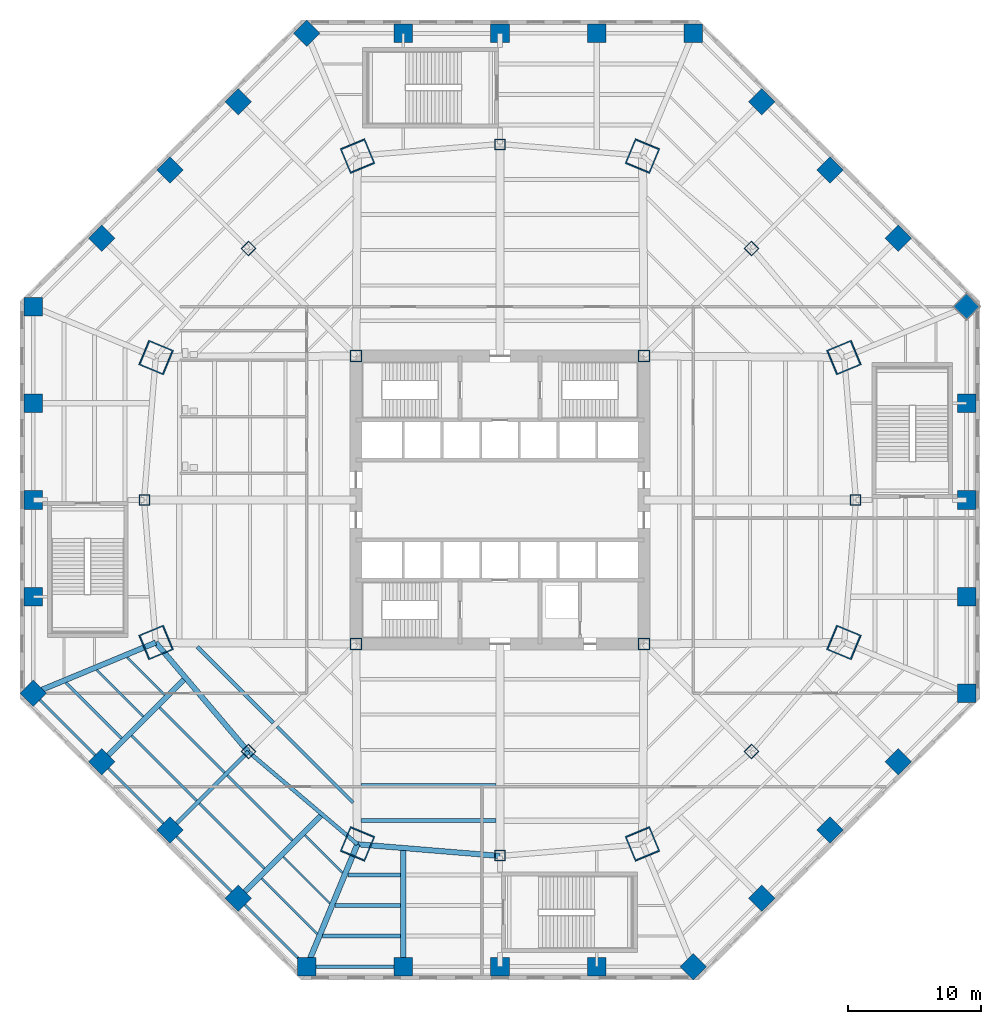
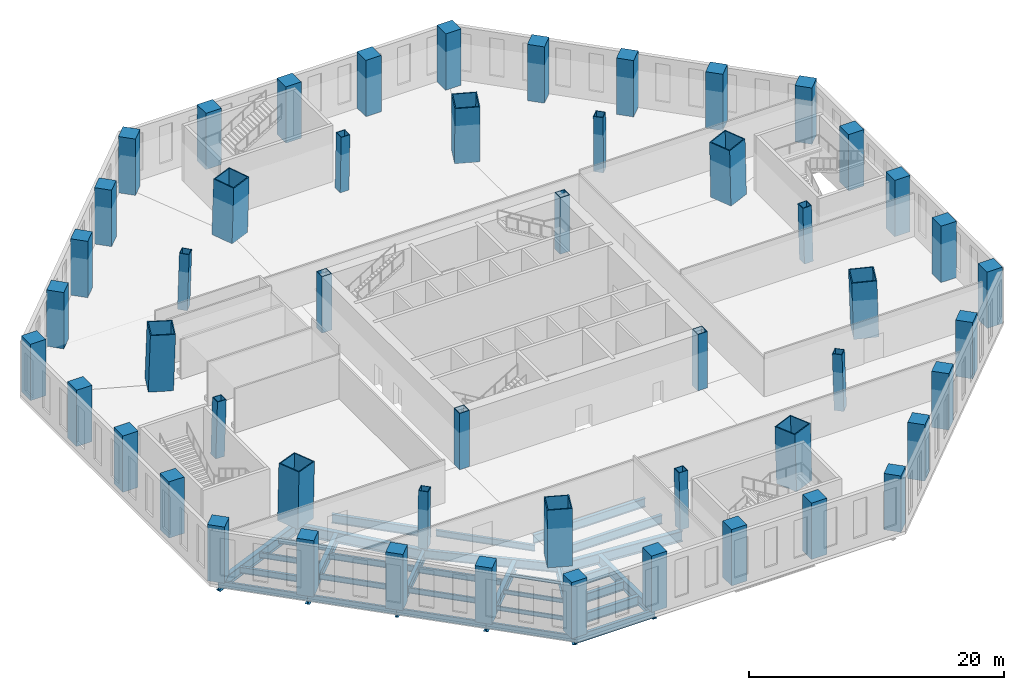
# One storey, part 1 of 18: 52 columns, 31 beams.
"""IFC4 building model written with IfcOpenShell, lengths in metres."""

from ifc_helpers import new_model, si_unit, direction, frame, origin, origin_2d, place, context, subcontext, project, spatial, rectangle, hollow_rectangle, i_section, extrude, material, material_profile, profile_set, type_object, element, save


model = new_model("IFC4")

# Units and contexts
model_context = context("Model", 3, precision=1e-05, world=origin(), true_north=direction((0.0, 1.0)))
body_context = subcontext(model_context, "Body", "Model", "MODEL_VIEW")
ifc_project = project(units=[si_unit("LENGTHUNIT", "METRE"), si_unit("AREAUNIT", "SQUARE_METRE"), si_unit("VOLUMEUNIT", "CUBIC_METRE"), si_unit("PLANEANGLEUNIT", "RADIAN"), si_unit("MASSUNIT", "GRAM", prefix="KILO")], contexts=[model_context])

# Site, building, storey
site_placement = place(None, origin())
site = spatial("IfcSite", under=ifc_project, at=site_placement, CompositionType="ELEMENT")
building_placement = place(site_placement, origin())
building = spatial("IfcBuilding", under=site, at=building_placement, Name="Mashrafa Tower", CompositionType="ELEMENT")
storey_placement = place(building_placement, frame((0.0, 0.0, 18.60009765625)))
storey = spatial("IfcBuildingStorey", under=building, at=storey_placement, Name="L03", CompositionType="ELEMENT", Elevation=18.60009765625)

# Columns
ifc_material_1 = material(Name="Steel ASTM A572 Gr 50", Category="steel")
ifc_material_profile_1 = material_profile(ifc_material_1, hollow_rectangle(XDim=0.89990234375, YDim=0.89990234375, WallThickness=0.06005859375, at=origin_2d()), Name="BOX900X900X60")
ifc_profile_set_1 = profile_set([ifc_material_profile_1], Name="Steel ASTM A572 Gr 50")
column_type_1 = type_object("IfcColumnType", Name="Core corner column BOX900X900X60", PredefinedType="COLUMN", material=ifc_profile_set_1)
for number, where, z_axis, x_axis, name in (
    (1, (10.800048828125, 10.800048828125, 0.0), (0.0, 0.0, 1.0), (1.0, 0.0, 0.0), "Core corner column CC-NE L03"),
    (2, (-10.800048828125, 10.800048828125, 0.0), (0.0, 0.0, 1.0), (1.0, 0.0, 0.0), "Core corner column CC-NW L03"),
    (3, (-10.800048828125, -10.800048828125, 0.0), (0.0, 0.0, 1.0), (1.0, 0.0, 0.0), "Core corner column CC-SW L03"),
    (4, (10.800048828125, -10.800048828125, 0.0), (0.0, 0.0, 1.0), (1.0, 0.0, 0.0), "Core corner column CC-SE L03"),
):
    element("IfcColumn", number, at=place(storey_placement, frame(where, z_axis=z_axis, x_axis=x_axis)), inside=storey, type_object=column_type_1, Name=name, PredefinedType="COLUMN", context=body_context, shape_type="SweptSolid", body=[
        extrude(hollow_rectangle(XDim=0.89990234375, YDim=0.89990234375, WallThickness=0.06005859375, at=origin_2d()), origin(), (0.0, 0.0, 1.0), 5.39990234375),
    ])
ifc_material_2 = material(Name="Steel ASTM A572 Gr 50", Category="steel")
ifc_material_profile_2 = material_profile(ifc_material_2, hollow_rectangle(XDim=2.0, YDim=2.0, WallThickness=0.090087890625, at=origin_2d()), Name="BOX2000X2000X90")
ifc_profile_set_2 = profile_set([ifc_material_profile_2], Name="Steel ASTM A572 Gr 50")
column_type_2 = type_object("IfcColumnType", Name="Mega column CFST BOX2000X2000X90", PredefinedType="COLUMN", material=ifc_profile_set_2)
for number, where, z_axis, x_axis, name in (
    (5, (25.810302734375, 10.69091796875, 0.0), (-0.028289472832, -0.011704430453, 0.999531246152), (0.3823083337, -0.92403481427, 0.0), "Mega column MC1 L03"),
    (6, (10.69091796875, 25.810302734375, 0.0), (-0.011704430453, -0.028289472832, 0.999531246152), (0.92403481427, -0.3823083337, 0.0), "Mega column MC2 L03"),
    (7, (-10.69091796875, 25.810302734375, 0.0), (0.011704430453, -0.028289472832, 0.999531246152), (0.92403481427, 0.3823083337, 0.0), "Mega column MC3 L03"),
    (8, (-25.810302734375, 10.69091796875, 0.0), (0.028289472832, -0.011704430453, 0.999531246152), (0.3823083337, 0.92403481427, 0.0), "Mega column MC4 L03"),
    (9, (-25.810302734375, -10.69091796875, 0.0), (0.028289472832, 0.011704430453, 0.999531246152), (-0.3823083337, 0.92403481427, 0.0), "Mega column MC5 L03"),
    (10, (-10.69091796875, -25.810302734375, 0.0), (0.011704430453, 0.028289472832, 0.999531246152), (-0.92403481427, 0.3823083337, 0.0), "Mega column MC6 L03"),
    (11, (10.69091796875, -25.810302734375, 0.0), (-0.011704430453, 0.028289472832, 0.999531246152), (-0.92403481427, -0.3823083337, 0.0), "Mega column MC7 L03"),
    (12, (25.810302734375, -10.69091796875, 0.0), (-0.028289472832, 0.011704430453, 0.999531246152), (-0.3823083337, -0.92403481427, 0.0), "Mega column MC8 L03"),
):
    element("IfcColumn", number, at=place(storey_placement, frame(where, z_axis=z_axis, x_axis=x_axis)), inside=storey, type_object=column_type_2, Name=name, PredefinedType="COLUMN", context=body_context, shape_type="SweptSolid", body=[
        extrude(hollow_rectangle(XDim=2.0, YDim=2.0, WallThickness=0.090087890625, at=origin_2d()), origin(), (0.0, 0.0, 1.0), 5.40234375),
    ])
ifc_material_3 = material(Name="Concrete C50/60", Category="concrete")
ifc_material_profile_3 = material_profile(ifc_material_3, rectangle(XDim=1.39990234375, YDim=1.39990234375, at=origin_2d()), Name="RC1400X1400")
ifc_profile_set_3 = profile_set([ifc_material_profile_3], Name="Concrete C50/60")
column_type_3 = type_object("IfcColumnType", Name="Podium column RC1400X1400", PredefinedType="COLUMN", material=ifc_profile_set_3)
for number, where, z_axis, x_axis, name in (
    (13, (35.0, -14.49755859375, 0.0), (0.0, 0.0, 1.0), (1.0, 0.0, 0.0), "Podium column PC01 L03"),
    (14, (35.0, -7.248779296875, 0.0), (0.0, 0.0, 1.0), (1.0, 0.0, 0.0), "Podium column PC02 L03"),
    (15, (35.0, 0.0, 0.0), (0.0, 0.0, 1.0), (1.0, 0.0, 0.0), "Podium column PC03 L03"),
    (16, (35.0, 7.248779296875, 0.0), (0.0, 0.0, 1.0), (1.0, 0.0, 0.0), "Podium column PC04 L03"),
    (17, (35.0, 14.49755859375, 0.0), (0.0, 0.0, 1.0), (0.707106781187, 0.707106781187, 0.0), "Podium column PC05 L03"),
    (18, (29.874267578125, 19.623046875, 0.0), (0.0, 0.0, 1.0), (0.707106781187, 0.707106781187, 0.0), "Podium column PC06 L03"),
    (19, (24.748779296875, 24.748779296875, 0.0), (0.0, 0.0, 1.0), (0.707106781187, 0.707106781187, 0.0), "Podium column PC07 L03"),
    (20, (19.623046875, 29.874267578125, 0.0), (0.0, 0.0, 1.0), (0.707106781187, 0.707106781187, 0.0), "Podium column PC08 L03"),
    (21, (14.49755859375, 35.0, 0.0), (0.0, 0.0, 1.0), (1.0, 0.0, 0.0), "Podium column PC09 L03"),
    (22, (7.248779296875, 35.0, 0.0), (0.0, 0.0, 1.0), (1.0, 0.0, 0.0), "Podium column PC10 L03"),
    (23, (0.0, 35.0, 0.0), (0.0, 0.0, 1.0), (1.0, 0.0, 0.0), "Podium column PC11 L03"),
    (24, (-7.248779296875, 35.0, 0.0), (0.0, 0.0, 1.0), (1.0, 0.0, 0.0), "Podium column PC12 L03"),
    (25, (-14.49755859375, 35.0, 0.0), (0.0, 0.0, 1.0), (0.707106781187, 0.707106781187, 0.0), "Podium column PC13 L03"),
    (26, (-19.623046875, 29.874267578125, 0.0), (0.0, 0.0, 1.0), (0.707106781187, 0.707106781187, 0.0), "Podium column PC14 L03"),
    (27, (-24.748779296875, 24.748779296875, 0.0), (0.0, 0.0, 1.0), (0.707106781187, 0.707106781187, 0.0), "Podium column PC15 L03"),
    (28, (-29.874267578125, 19.623046875, 0.0), (0.0, 0.0, 1.0), (0.707106781187, 0.707106781187, 0.0), "Podium column PC16 L03"),
    (29, (-35.0, 14.49755859375, 0.0), (0.0, 0.0, 1.0), (1.0, 0.0, 0.0), "Podium column PC17 L03"),
    (30, (-35.0, 7.248779296875, 0.0), (0.0, 0.0, 1.0), (1.0, 0.0, 0.0), "Podium column PC18 L03"),
    (31, (-35.0, 0.0, 0.0), (0.0, 0.0, 1.0), (1.0, 0.0, 0.0), "Podium column PC19 L03"),
    (32, (-35.0, -7.248779296875, 0.0), (0.0, 0.0, 1.0), (1.0, 0.0, 0.0), "Podium column PC20 L03"),
    (33, (-35.0, -14.49755859375, 0.0), (0.0, 0.0, 1.0), (0.707106781187, 0.707106781187, 0.0), "Podium column PC21 L03"),
    (34, (-29.874267578125, -19.623046875, 0.0), (0.0, 0.0, 1.0), (0.707106781187, 0.707106781187, 0.0), "Podium column PC22 L03"),
    (35, (-24.748779296875, -24.748779296875, 0.0), (0.0, 0.0, 1.0), (0.707106781187, 0.707106781187, 0.0), "Podium column PC23 L03"),
    (36, (-19.623046875, -29.874267578125, 0.0), (0.0, 0.0, 1.0), (0.707106781187, 0.707106781187, 0.0), "Podium column PC24 L03"),
    (37, (-14.49755859375, -35.0, 0.0), (0.0, 0.0, 1.0), (1.0, 0.0, 0.0), "Podium column PC25 L03"),
    (38, (-7.248779296875, -35.0, 0.0), (0.0, 0.0, 1.0), (1.0, 0.0, 0.0), "Podium column PC26 L03"),
    (39, (0.0, -35.0, 0.0), (0.0, 0.0, 1.0), (1.0, 0.0, 0.0), "Podium column PC27 L03"),
    (40, (7.248779296875, -35.0, 0.0), (0.0, 0.0, 1.0), (1.0, 0.0, 0.0), "Podium column PC28 L03"),
    (41, (14.49755859375, -35.0, 0.0), (0.0, 0.0, 1.0), (0.707106781187, 0.707106781187, 0.0), "Podium column PC29 L03"),
    (42, (19.623046875, -29.874267578125, 0.0), (0.0, 0.0, 1.0), (0.707106781187, 0.707106781187, 0.0), "Podium column PC30 L03"),
    (43, (24.748779296875, -24.748779296875, 0.0), (0.0, 0.0, 1.0), (0.707106781187, 0.707106781187, 0.0), "Podium column PC31 L03"),
    (44, (29.874267578125, -19.623046875, 0.0), (0.0, 0.0, 1.0), (0.707106781187, 0.707106781187, 0.0), "Podium column PC32 L03"),
):
    element("IfcColumn", number, at=place(storey_placement, frame(where, z_axis=z_axis, x_axis=x_axis)), inside=storey, type_object=column_type_3, Name=name, PredefinedType="COLUMN", context=body_context, shape_type="SweptSolid", body=[
        extrude(rectangle(XDim=1.39990234375, YDim=1.39990234375, at=origin_2d()), origin(), (0.0, 0.0, 1.0), 5.39990234375),
    ])
ifc_material_4 = material(Name="Steel ASTM A572 Gr 50", Category="steel")
ifc_material_profile_4 = material_profile(ifc_material_4, hollow_rectangle(XDim=0.800048828125, YDim=0.800048828125, WallThickness=0.050048828125, at=origin_2d()), Name="BOX800X800X50")
ifc_profile_set_4 = profile_set([ifc_material_profile_4], Name="Steel ASTM A572 Gr 50")
column_type_4 = type_object("IfcColumnType", Name="Secondary column BOX800X800X50", PredefinedType="COLUMN", material=ifc_profile_set_4)
for number, where, z_axis, x_axis, name in (
    (45, (26.6884765625, 0.0, 0.0), (-0.02824625291, 0.0, 0.999600994996), (0.0, -1.0, 0.0), "Secondary column SC1 L03"),
    (46, (18.87158203125, 18.87158203125, 0.0), (-0.019975747957, -0.019975747957, 0.999600889849), (0.707106781187, -0.707106781187, 0.0), "Secondary column SC2 L03"),
    (47, (0.0, 26.6884765625, 0.0), (0.0, -0.02824625291, 0.999600994996), (1.0, 0.0, 0.0), "Secondary column SC3 L03"),
    (48, (-18.87158203125, 18.87158203125, 0.0), (0.019975747957, -0.019975747957, 0.999600889849), (0.707106781187, 0.707106781187, 0.0), "Secondary column SC4 L03"),
    (49, (-26.6884765625, 0.0, 0.0), (0.02824625291, 0.0, 0.999600994996), (0.0, 1.0, 0.0), "Secondary column SC5 L03"),
    (50, (-18.87158203125, -18.87158203125, 0.0), (0.019975747957, 0.019975747957, 0.999600889849), (-0.707106781187, 0.707106781187, 0.0), "Secondary column SC6 L03"),
    (51, (0.0, -26.6884765625, 0.0), (0.0, 0.02824625291, 0.999600994996), (-1.0, 0.0, 0.0), "Secondary column SC7 L03"),
    (52, (18.87158203125, -18.87158203125, 0.0), (-0.019975747957, 0.019975747957, 0.999600889849), (-0.707106781187, -0.707106781187, 0.0), "Secondary column SC8 L03"),
):
    element("IfcColumn", number, at=place(storey_placement, frame(where, z_axis=z_axis, x_axis=x_axis)), inside=storey, type_object=column_type_4, Name=name, PredefinedType="COLUMN", context=body_context, shape_type="SweptSolid", body=[
        extrude(hollow_rectangle(XDim=0.800048828125, YDim=0.800048828125, WallThickness=0.050048828125, at=origin_2d()), origin(), (0.0, 0.0, 1.0), 5.402099609375),
    ])

# Beams
ifc_material_5 = material(Name="Steel ASTM A992", Category="steel")
ifc_material_profile_5 = material_profile(ifc_material_5, i_section(OverallWidth=0.164794921875, OverallDepth=0.309814453125, WebThickness=0.005859375, FlangeThickness=0.009765625, FilletRadius=0.007568359375, at=origin_2d()), Name="W12X26")
ifc_profile_set_5 = profile_set([ifc_material_profile_5], Name="Steel ASTM A992")
beam_type_1 = type_object("IfcBeamType", Name="Beam W12X26", PredefinedType="BEAM", material=ifc_profile_set_5)
beam_1_placement = place(storey_placement, frame((-11.8056640625, -27.95361328125, -0.455078125), z_axis=(-0.707106781187, 0.707106781187, 0.0), x_axis=(-0.707106781187, -0.707106781187, 0.0)))
element("IfcBeam", 53, at=beam_1_placement, inside=storey, type_object=beam_type_1, Name="Floor beam L03 046", PredefinedType="BEAM", context=body_context, shape_type="SweptSolid", body=[
    extrude(i_section(OverallWidth=0.164794921875, OverallDepth=0.309814453125, WebThickness=0.005859375, FlangeThickness=0.009765625, FilletRadius=0.007568359375, at=origin_2d()), origin(), (0.0, 0.0, 1.0), 3.96875),
])
ifc_material_6 = material(Name="Steel ASTM A992", Category="steel")
ifc_material_profile_6 = material_profile(ifc_material_6, i_section(OverallWidth=0.140380859375, OverallDepth=0.40380859375, WebThickness=0.007080078125, FlangeThickness=0.01123046875, FilletRadius=0.01025390625, at=origin_2d()), Name="W16X31")
ifc_profile_set_6 = profile_set([ifc_material_profile_6], Name="Steel ASTM A992")
beam_type_2 = type_object("IfcBeamType", Name="Beam W16X31", PredefinedType="BEAM", material=ifc_profile_set_6)
beam_2_placement = place(storey_placement, frame((-13.70703125, -32.544189453125, -0.501953125), z_axis=(-0.707127575081, 0.707085986681, 0.0), x_axis=(-0.707085986681, -0.707127575081, 0.0)))
element("IfcBeam", 54, at=beam_2_placement, inside=storey, type_object=beam_type_2, Name="Floor beam L03 038", PredefinedType="BEAM", context=body_context, shape_type="SweptSolid", body=[
    extrude(i_section(OverallWidth=0.140380859375, OverallDepth=0.40380859375, WebThickness=0.007080078125, FlangeThickness=0.01123046875, FilletRadius=0.01025390625, at=origin_2d()), origin(), (0.0, 0.0, 1.0), 5.870361328125),
])
beam_3_placement = place(storey_placement, frame((-12.75634765625, -30.2490234375, -0.501953125), z_axis=(-0.707106781187, 0.707106781187, 0.0), x_axis=(-0.707106781187, -0.707106781187, 0.0)))
element("IfcBeam", 55, at=beam_3_placement, inside=storey, type_object=beam_type_2, Name="Floor beam L03 044", PredefinedType="BEAM", context=body_context, shape_type="SweptSolid", body=[
    extrude(i_section(OverallWidth=0.140380859375, OverallDepth=0.40380859375, WebThickness=0.007080078125, FlangeThickness=0.01123046875, FilletRadius=0.01025390625, at=origin_2d()), origin(), (0.0, 0.0, 1.0), 4.919677734375),
])
ifc_material_7 = material(Name="Steel ASTM A992", Category="steel")
ifc_material_profile_7 = material_profile(ifc_material_7, i_section(OverallWidth=0.1650390625, OverallDepth=0.52587890625, WebThickness=0.0087890625, FlangeThickness=0.011474609375, FilletRadius=0.0126953125, at=origin_2d()), Name="W21X44")
ifc_profile_set_7 = profile_set([ifc_material_profile_7], Name="Steel ASTM A992")
beam_type_3 = type_object("IfcBeamType", Name="Beam W21X44", PredefinedType="BEAM", material=ifc_profile_set_7)
for number, where, z_axis, x_axis, name in (
    (56, (-22.760009765625, -22.542724609375, -0.56298828125), (-0.707124486521, 0.707089075409, 0.0), (-0.707089075409, -0.707124486521, 0.0), "Floor beam L03 017"),
    (57, (-17.667724609375, -27.63525390625, -0.56298828125), (-0.707089075409, 0.707124486521, 0.0), (-0.707124486521, -0.707089075409, 0.0), "Floor beam L03 027"),
):
    element("IfcBeam", number, at=place(storey_placement, frame(where, z_axis=z_axis, x_axis=x_axis)), inside=storey, type_object=beam_type_3, Name=name, PredefinedType="BEAM", context=body_context, shape_type="SweptSolid", body=[
        extrude(i_section(OverallWidth=0.1650390625, OverallDepth=0.52587890625, WebThickness=0.0087890625, FlangeThickness=0.011474609375, FilletRadius=0.0126953125, at=origin_2d()), origin(), (0.0, 0.0, 1.0), 6.89453125),
    ])
ifc_material_8 = material(Name="Steel ASTM A992", Category="steel")
ifc_material_profile_8 = material_profile(ifc_material_8, i_section(OverallWidth=0.165771484375, OverallDepth=0.5283203125, WebThickness=0.009765625, FlangeThickness=0.013671875, FilletRadius=0.012939453125, at=origin_2d()), Name="W21X50")
ifc_profile_set_8 = profile_set([ifc_material_profile_8], Name="Steel ASTM A992")
beam_type_4 = type_object("IfcBeamType", Name="Beam W21X50", PredefinedType="BEAM", material=ifc_profile_set_8)
beam_4_placement = place(storey_placement, frame((-26.770263671875, -16.235107421875, -0.564208984375), z_axis=(-0.707106781187, 0.707106781187, 0.0), x_axis=(-0.707106781187, -0.707106781187, 0.0)))
element("IfcBeam", 58, at=beam_4_placement, inside=storey, type_object=beam_type_4, Name="Floor beam L03 011", PredefinedType="BEAM", context=body_context, shape_type="SweptSolid", body=[
    extrude(i_section(OverallWidth=0.165771484375, OverallDepth=0.5283203125, WebThickness=0.009765625, FlangeThickness=0.013671875, FilletRadius=0.012939453125, at=origin_2d()), origin(), (0.0, 0.0, 1.0), 4.929443359375),
])
beam_5_placement = place(storey_placement, frame((-25.147216796875, -14.612060546875, -0.564208984375), z_axis=(-0.707106781187, 0.707106781187, 0.0), x_axis=(-0.707106781187, -0.707106781187, 0.0)))
element("IfcBeam", 59, at=beam_5_placement, inside=storey, type_object=beam_type_4, Name="Floor beam L03 013", PredefinedType="BEAM", context=body_context, shape_type="SweptSolid", body=[
    extrude(i_section(OverallWidth=0.165771484375, OverallDepth=0.5283203125, WebThickness=0.009765625, FlangeThickness=0.013671875, FilletRadius=0.012939453125, at=origin_2d()), origin(), (0.0, 0.0, 1.0), 3.978515625),
])
ifc_material_9 = material(Name="Steel ASTM A992", Category="steel")
ifc_material_profile_9 = material_profile(ifc_material_9, i_section(OverallWidth=0.177978515625, OverallDepth=0.599365234375, WebThickness=0.010009765625, FlangeThickness=0.012939453125, FilletRadius=0.012939453125, at=origin_2d()), Name="W24X55")
ifc_profile_set_9 = profile_set([ifc_material_profile_9], Name="Steel ASTM A992")
beam_type_5 = type_object("IfcBeamType", Name="Beam W24X55", PredefinedType="BEAM", material=ifc_profile_set_9)
for number, where, z_axis, x_axis, name in (
    (60, (-20.662841796875, -20.4453125, -0.599853515625), (-0.707106781187, 0.707106781187, 0.0), (-0.707106781187, -0.707106781187, 0.0), "Floor beam L03 021"),
    (61, (-15.5703125, -25.537841796875, -0.599853515625), (-0.707106781187, 0.707106781187, 0.0), (-0.707106781187, -0.707106781187, 0.0), "Floor beam L03 033"),
):
    element("IfcBeam", number, at=place(storey_placement, frame(where, z_axis=z_axis, x_axis=x_axis)), inside=storey, type_object=beam_type_5, Name=name, PredefinedType="BEAM", context=body_context, shape_type="SweptSolid", body=[
        extrude(i_section(OverallWidth=0.177978515625, OverallDepth=0.599365234375, WebThickness=0.010009765625, FlangeThickness=0.012939453125, FilletRadius=0.012939453125, at=origin_2d()), origin(), (0.0, 0.0, 1.0), 6.894287109375),
    ])
beam_6_placement = place(storey_placement, frame((-35.0, -14.49755859375, -0.599853515625), z_axis=(0.707106781187, -0.707106781187, 0.0), x_axis=(0.707106781187, 0.707106781187, 0.0)))
element("IfcBeam", 62, at=beam_6_placement, inside=storey, type_object=beam_type_5, Name="Podium edge beam L03 125", PredefinedType="BEAM", context=body_context, shape_type="SweptSolid", body=[
    extrude(i_section(OverallWidth=0.177978515625, OverallDepth=0.599365234375, WebThickness=0.010009765625, FlangeThickness=0.012939453125, FilletRadius=0.012939453125, at=origin_2d()), origin(), (0.0, 0.0, 1.0), 7.24853515625),
])
for number, where, z_axis, x_axis, name in (
    (63, (-29.87451171875, -19.623046875, -0.599853515625), (0.707106781187, -0.707106781187, 0.0), (0.707106781187, 0.707106781187, 0.0), "Podium edge beam L03 130"),
    (64, (-24.748779296875, -24.748779296875, -0.599853515625), (0.707106781187, -0.707106781187, 0.0), (0.707106781187, 0.707106781187, 0.0), "Podium edge beam L03 132"),
):
    element("IfcBeam", number, at=place(storey_placement, frame(where, z_axis=z_axis, x_axis=x_axis)), inside=storey, type_object=beam_type_5, Name=name, PredefinedType="BEAM", context=body_context, shape_type="SweptSolid", body=[
        extrude(i_section(OverallWidth=0.177978515625, OverallDepth=0.599365234375, WebThickness=0.010009765625, FlangeThickness=0.012939453125, FilletRadius=0.012939453125, at=origin_2d()), origin(), (0.0, 0.0, 1.0), 7.248779296875),
    ])
beam_7_placement = place(storey_placement, frame((-19.623046875, -29.87451171875, -0.599853515625), z_axis=(0.707106781187, -0.707106781187, 0.0), x_axis=(0.707106781187, 0.707106781187, 0.0)))
element("IfcBeam", 65, at=beam_7_placement, inside=storey, type_object=beam_type_5, Name="Podium edge beam L03 134", PredefinedType="BEAM", context=body_context, shape_type="SweptSolid", body=[
    extrude(i_section(OverallWidth=0.177978515625, OverallDepth=0.599365234375, WebThickness=0.010009765625, FlangeThickness=0.012939453125, FilletRadius=0.012939453125, at=origin_2d()), origin(), (0.0, 0.0, 1.0), 7.24853515625),
])
ifc_material_10 = material(Name="Steel ASTM A992", Category="steel")
ifc_material_profile_10 = material_profile(ifc_material_10, i_section(OverallWidth=0.227783203125, OverallDepth=0.60205078125, WebThickness=0.010498046875, FlangeThickness=0.014892578125, FilletRadius=0.012939453125, at=origin_2d()), Name="W24X68")
ifc_profile_set_10 = profile_set([ifc_material_profile_10], Name="Steel ASTM A992")
beam_type_6 = type_object("IfcBeamType", Name="Beam W24X68", PredefinedType="BEAM", material=ifc_profile_set_10)
beam_8_placement = place(storey_placement, frame((-28.393310546875, -17.858154296875, -0.60107421875), z_axis=(-0.707086020869, 0.707127540894, 0.0), x_axis=(-0.707127540894, -0.707086020869, 0.0)))
element("IfcBeam", 66, at=beam_8_placement, inside=storey, type_object=beam_type_6, Name="Floor beam L03 007", PredefinedType="BEAM", context=body_context, shape_type="SweptSolid", body=[
    extrude(i_section(OverallWidth=0.227783203125, OverallDepth=0.60205078125, WebThickness=0.010498046875, FlangeThickness=0.014892578125, FilletRadius=0.012939453125, at=origin_2d()), origin(), (0.0, 0.0, 1.0), 5.880126953125),
])
beam_9_placement = place(storey_placement, frame((-11.016357421875, -22.7001953125, -0.60107421875), z_axis=(-0.707106781187, 0.707106781187, 0.0), x_axis=(-0.707106781187, -0.707106781187, 0.0)))
element("IfcBeam", 67, at=beam_9_placement, inside=storey, type_object=beam_type_6, Name="Floor beam L03 053", PredefinedType="BEAM", context=body_context, shape_type="SweptSolid", body=[
    extrude(i_section(OverallWidth=0.227783203125, OverallDepth=0.60205078125, WebThickness=0.010498046875, FlangeThickness=0.014892578125, FilletRadius=0.012939453125, at=origin_2d()), origin(), (0.0, 0.0, 1.0), 8.05712890625),
])
ifc_material_11 = material(Name="Steel ASTM A992", Category="steel")
ifc_material_profile_11 = material_profile(ifc_material_11, i_section(OverallWidth=0.2666015625, OverallDepth=0.75439453125, WebThickness=0.01318359375, FlangeThickness=0.01708984375, FilletRadius=0.0166015625, at=origin_2d()), Name="W30X99")
ifc_profile_set_11 = profile_set([ifc_material_profile_11], Name="Steel ASTM A992")
beam_type_7 = type_object("IfcBeamType", Name="Beam W30X99", PredefinedType="BEAM", material=ifc_profile_set_11)
beam_10_placement = place(storey_placement, frame((-14.49755859375, -35.0, -0.67724609375), z_axis=(1.0, 0.0, 0.0), x_axis=(0.0, 1.0, 0.0)))
element("IfcBeam", 68, at=beam_10_placement, inside=storey, type_object=beam_type_7, Name="Podium edge beam L03 136", PredefinedType="BEAM", context=body_context, shape_type="SweptSolid", body=[
    extrude(i_section(OverallWidth=0.2666015625, OverallDepth=0.75439453125, WebThickness=0.01318359375, FlangeThickness=0.01708984375, FilletRadius=0.0166015625, at=origin_2d()), origin(), (0.0, 0.0, 1.0), 7.248779296875),
])
ifc_material_12 = material(Name="Steel ASTM A992", Category="steel")
ifc_material_profile_12 = material_profile(ifc_material_12, i_section(OverallWidth=0.2919921875, OverallDepth=0.8408203125, WebThickness=0.0146484375, FlangeThickness=0.021728515625, FilletRadius=0.017333984375, at=origin_2d()), Name="W33X130")
ifc_profile_set_12 = profile_set([ifc_material_profile_12], Name="Steel ASTM A992")
beam_type_8 = type_object("IfcBeamType", Name="Beam W33X130", PredefinedType="BEAM", material=ifc_profile_set_12)
beam_11_placement = place(storey_placement, frame((-17.0029296875, -16.713623046875, -0.720458984375), z_axis=(-0.707106781187, 0.707106781187, 0.0), x_axis=(-0.707106781187, -0.707106781187, 0.0)))
element("IfcBeam", 69, at=beam_11_placement, inside=storey, type_object=beam_type_8, Name="Floor beam L03 028", PredefinedType="BEAM", context=body_context, shape_type="SweptSolid", body=[
    extrude(i_section(OverallWidth=0.2919921875, OverallDepth=0.8408203125, WebThickness=0.0146484375, FlangeThickness=0.021728515625, FilletRadius=0.017333984375, at=origin_2d()), origin(), (0.0, 0.0, 1.0), 8.05712890625),
])
beam_12_placement = place(storey_placement, frame((-18.877685546875, -18.877685546875, -0.720458984375), z_axis=(0.762604702856, -0.646864798225, 0.0), x_axis=(0.646864798225, 0.762604702856, 0.0)))
element("IfcBeam", 70, at=beam_12_placement, inside=storey, type_object=beam_type_8, Name="Podium ring girder L03 200", PredefinedType="BEAM", context=body_context, shape_type="SweptSolid", body=[
    extrude(i_section(OverallWidth=0.2919921875, OverallDepth=0.8408203125, WebThickness=0.0146484375, FlangeThickness=0.021728515625, FilletRadius=0.017333984375, at=origin_2d()), origin(), (0.0, 0.0, 1.0), 10.73046875),
])
ifc_material_13 = material(Name="Steel ASTM A992", Category="steel")
ifc_material_profile_13 = material_profile(ifc_material_13, i_section(OverallWidth=0.2919921875, OverallDepth=0.845703125, WebThickness=0.015380859375, FlangeThickness=0.0244140625, FilletRadius=0.017333984375, at=origin_2d()), Name="W33X141")
ifc_profile_set_13 = profile_set([ifc_material_profile_13], Name="Steel ASTM A992")
beam_type_9 = type_object("IfcBeamType", Name="Beam W33X141", PredefinedType="BEAM", material=ifc_profile_set_13)
beam_13_placement = place(storey_placement, frame((-0.300048828125, -21.39794921875, -0.722900390625), z_axis=(-1.0, 0.0, 0.0), x_axis=(0.0, -1.0, 0.0)))
element("IfcBeam", 71, at=beam_13_placement, inside=storey, type_object=beam_type_9, Name="Floor beam L03 059", PredefinedType="BEAM", context=body_context, shape_type="SweptSolid", body=[
    extrude(i_section(OverallWidth=0.2919921875, OverallDepth=0.845703125, WebThickness=0.015380859375, FlangeThickness=0.0244140625, FilletRadius=0.017333984375, at=origin_2d()), origin(), (0.0, 0.0, 1.0), 10.12548828125),
])
ifc_material_14 = material(Name="Steel ASTM A992", Category="steel")
ifc_material_profile_14 = material_profile(ifc_material_14, i_section(OverallWidth=0.2919921875, OverallDepth=0.8583984375, WebThickness=0.01708984375, FlangeThickness=0.031005859375, FilletRadius=0.017822265625, at=origin_2d()), Name="W33X169")
ifc_profile_set_14 = profile_set([ifc_material_profile_14], Name="Steel ASTM A992")
beam_type_10 = type_object("IfcBeamType", Name="Beam W33X169", PredefinedType="BEAM", material=ifc_profile_set_14)
beam_14_placement = place(storey_placement, frame((-0.300048828125, -24.047607421875, -0.729248046875), z_axis=(-1.0, 0.0, 0.0), x_axis=(0.0, -1.0, 0.0)))
element("IfcBeam", 72, at=beam_14_placement, inside=storey, type_object=beam_type_10, Name="Floor beam L03 058", PredefinedType="BEAM", context=body_context, shape_type="SweptSolid", body=[
    extrude(i_section(OverallWidth=0.2919921875, OverallDepth=0.8583984375, WebThickness=0.01708984375, FlangeThickness=0.031005859375, FilletRadius=0.017822265625, at=origin_2d()), origin(), (0.0, 0.0, 1.0), 10.10693359375),
])
beam_15_placement = place(storey_placement, frame((-7.449462890625, -30.409423828125, -0.729248046875), z_axis=(-1.0, 0.0, 0.0), x_axis=(0.0, -1.0, 0.0)))
element("IfcBeam", 73, at=beam_15_placement, inside=storey, type_object=beam_type_10, Name="Floor beam L03 069 part 2", PredefinedType="BEAM", context=body_context, shape_type="SweptSolid", body=[
    extrude(i_section(OverallWidth=0.2919921875, OverallDepth=0.8583984375, WebThickness=0.01708984375, FlangeThickness=0.031005859375, FilletRadius=0.017822265625, at=origin_2d()), origin(), (0.0, 0.0, 1.0), 4.919677734375),
])
ifc_material_15 = material(Name="Steel ASTM A992", Category="steel")
ifc_material_profile_15 = material_profile(ifc_material_15, i_section(OverallWidth=0.307373046875, OverallDepth=0.927001953125, WebThickness=0.01953125, FlangeThickness=0.031982421875, FilletRadius=0.01904296875, at=origin_2d()), Name="W36X194")
ifc_profile_set_15 = profile_set([ifc_material_profile_15], Name="Steel ASTM A992")
beam_type_11 = type_object("IfcBeamType", Name="Beam W36X194", PredefinedType="BEAM", material=ifc_profile_set_15)
beam_16_placement = place(storey_placement, frame((-7.449462890625, -32.70458984375, -0.763671875), z_axis=(-1.0, 0.0, 0.0), x_axis=(0.0, -1.0, 0.0)))
element("IfcBeam", 74, at=beam_16_placement, inside=storey, type_object=beam_type_11, Name="Floor beam L03 068 part 2", PredefinedType="BEAM", context=body_context, shape_type="SweptSolid", body=[
    extrude(i_section(OverallWidth=0.307373046875, OverallDepth=0.927001953125, WebThickness=0.01953125, FlangeThickness=0.031982421875, FilletRadius=0.01904296875, at=origin_2d()), origin(), (0.0, 0.0, 1.0), 5.87060546875),
])
beam_17_placement = place(storey_placement, frame((-7.449462890625, -28.114013671875, -0.763671875), z_axis=(-1.0, 0.0, 0.0), x_axis=(0.0, -1.0, 0.0)))
element("IfcBeam", 75, at=beam_17_placement, inside=storey, type_object=beam_type_11, Name="Floor beam L03 070 part 2", PredefinedType="BEAM", context=body_context, shape_type="SweptSolid", body=[
    extrude(i_section(OverallWidth=0.307373046875, OverallDepth=0.927001953125, WebThickness=0.01953125, FlangeThickness=0.031982421875, FilletRadius=0.01904296875, at=origin_2d()), origin(), (0.0, 0.0, 1.0), 3.968994140625),
])
beam_18_placement = place(storey_placement, frame((-18.877685546875, -18.877685546875, -0.763671875), z_axis=(-0.707106781187, -0.707106781187, 0.0), x_axis=(0.707106781187, -0.707106781187, 0.0)))
element("IfcBeam", 76, at=beam_18_placement, inside=storey, type_object=beam_type_11, Name="Podium radial beam L03 166", PredefinedType="BEAM", context=body_context, shape_type="SweptSolid", body=[
    extrude(i_section(OverallWidth=0.307373046875, OverallDepth=0.927001953125, WebThickness=0.01953125, FlangeThickness=0.031982421875, FilletRadius=0.01904296875, at=origin_2d()), origin(), (0.0, 0.0, 1.0), 8.302978515625),
])
ifc_material_16 = material(Name="Steel ASTM A992", Category="steel")
ifc_material_profile_16 = material_profile(ifc_material_16, i_section(OverallWidth=0.419189453125, OverallDepth=0.927001953125, WebThickness=0.019287109375, FlangeThickness=0.031982421875, FilletRadius=0.020263671875, at=origin_2d()), Name="W36X231")
ifc_profile_set_16 = profile_set([ifc_material_profile_16], Name="Steel ASTM A992")
beam_type_12 = type_object("IfcBeamType", Name="Beam W36X231", PredefinedType="BEAM", material=ifc_profile_set_16)
beam_19_placement = place(storey_placement, frame((-10.694580078125, -25.81884765625, -0.763671875), z_axis=(-0.382685210022, -0.92387879618, 0.0), x_axis=(0.92387879618, -0.382685210022, 0.0)))
element("IfcBeam", 77, at=beam_19_placement, inside=storey, type_object=beam_type_12, Name="Podium radial beam L03 170", PredefinedType="BEAM", context=body_context, shape_type="SweptSolid", body=[
    extrude(i_section(OverallWidth=0.419189453125, OverallDepth=0.927001953125, WebThickness=0.019287109375, FlangeThickness=0.031982421875, FilletRadius=0.020263671875, at=origin_2d()), origin(), (0.0, 0.0, 1.0), 9.9375),
])
ifc_material_17 = material(Name="Steel ASTM A992", Category="steel")
ifc_material_profile_17 = material_profile(ifc_material_17, i_section(OverallWidth=0.4013671875, OverallDepth=0.98291015625, WebThickness=0.0166015625, FlangeThickness=0.027099609375, FilletRadius=0.0126953125, at=origin_2d()), Name="W40X199")
ifc_profile_set_17 = profile_set([ifc_material_profile_17], Name="Steel ASTM A992")
beam_type_13 = type_object("IfcBeamType", Name="Beam W40X199", PredefinedType="BEAM", material=ifc_profile_set_17)
beam_20_placement = place(storey_placement, frame((-23.724853515625, -13.473388671875, -0.79150390625), z_axis=(-0.707106781187, -0.707106781187, 0.0), x_axis=(0.707106781187, -0.707106781187, 0.0)))
element("IfcBeam", 78, at=beam_20_placement, inside=storey, type_object=beam_type_13, Name="Podium radial beam L03 164", PredefinedType="BEAM", context=body_context, shape_type="SweptSolid", body=[
    extrude(i_section(OverallWidth=0.4013671875, OverallDepth=0.98291015625, WebThickness=0.0166015625, FlangeThickness=0.027099609375, FilletRadius=0.0126953125, at=origin_2d()), origin(), (0.0, 0.0, 1.0), 8.697021484375),
])
beam_21_placement = place(storey_placement, frame((-13.434814453125, -23.68603515625, -0.79150390625), z_axis=(-0.707092832794, -0.707120729304, 0.0), x_axis=(0.707120729304, -0.707092832794, 0.0)))
element("IfcBeam", 79, at=beam_21_placement, inside=storey, type_object=beam_type_13, Name="Podium radial beam L03 168", PredefinedType="BEAM", context=body_context, shape_type="SweptSolid", body=[
    extrude(i_section(OverallWidth=0.4013671875, OverallDepth=0.98291015625, WebThickness=0.0166015625, FlangeThickness=0.027099609375, FilletRadius=0.0126953125, at=origin_2d()), origin(), (0.0, 0.0, 1.0), 8.751708984375),
])
beam_22_placement = place(storey_placement, frame((-7.248779296875, -26.302978515625, -0.79150390625), z_axis=(0.0, -1.0, 0.0), x_axis=(1.0, 0.0, 0.0)))
element("IfcBeam", 80, at=beam_22_placement, inside=storey, type_object=beam_type_13, Name="Podium radial beam L03 172", PredefinedType="BEAM", context=body_context, shape_type="SweptSolid", body=[
    extrude(i_section(OverallWidth=0.4013671875, OverallDepth=0.98291015625, WebThickness=0.0166015625, FlangeThickness=0.027099609375, FilletRadius=0.0126953125, at=origin_2d()), origin(), (0.0, 0.0, 1.0), 8.697021484375),
])
ifc_material_18 = material(Name="Steel ASTM A992", Category="steel")
ifc_material_profile_18 = material_profile(ifc_material_18, i_section(OverallWidth=0.4013671875, OverallDepth=1.010986328125, WebThickness=0.023681640625, FlangeThickness=0.0419921875, FilletRadius=0.02001953125, at=origin_2d()), Name="W40X297")
ifc_profile_set_18 = profile_set([ifc_material_profile_18], Name="Steel ASTM A992")
beam_type_14 = type_object("IfcBeamType", Name="Beam W40X297", PredefinedType="BEAM", material=ifc_profile_set_18)
beam_23_placement = place(storey_placement, frame((-25.81884765625, -10.694580078125, -0.8056640625), z_axis=(-0.92387879618, -0.382685210022, 0.0), x_axis=(0.382685210022, -0.92387879618, 0.0)))
element("IfcBeam", 81, at=beam_23_placement, inside=storey, type_object=beam_type_14, Name="Podium radial beam L03 162", PredefinedType="BEAM", context=body_context, shape_type="SweptSolid", body=[
    extrude(i_section(OverallWidth=0.4013671875, OverallDepth=1.010986328125, WebThickness=0.023681640625, FlangeThickness=0.0419921875, FilletRadius=0.02001953125, at=origin_2d()), origin(), (0.0, 0.0, 1.0), 9.9375),
])
for number, where, z_axis, x_axis, name in (
    (82, (-25.81884765625, -10.694580078125, -0.8056640625), (0.646864798225, -0.762604702856, 0.0), (0.762604702856, 0.646864798225, 0.0), "Podium ring girder L03 198"),
    (83, (-10.694580078125, -25.81884765625, -0.8056640625), (0.996645606309, -0.081838471542, 0.0), (0.081838471542, 0.996645606309, 0.0), "Podium ring girder L03 202"),
):
    element("IfcBeam", number, at=place(storey_placement, frame(where, z_axis=z_axis, x_axis=x_axis)), inside=storey, type_object=beam_type_14, Name=name, PredefinedType="BEAM", context=body_context, shape_type="SweptSolid", body=[
        extrude(i_section(OverallWidth=0.4013671875, OverallDepth=1.010986328125, WebThickness=0.023681640625, FlangeThickness=0.0419921875, FilletRadius=0.02001953125, at=origin_2d()), origin(), (0.0, 0.0, 1.0), 10.73046875),
    ])

save(model, "model.ifc")
